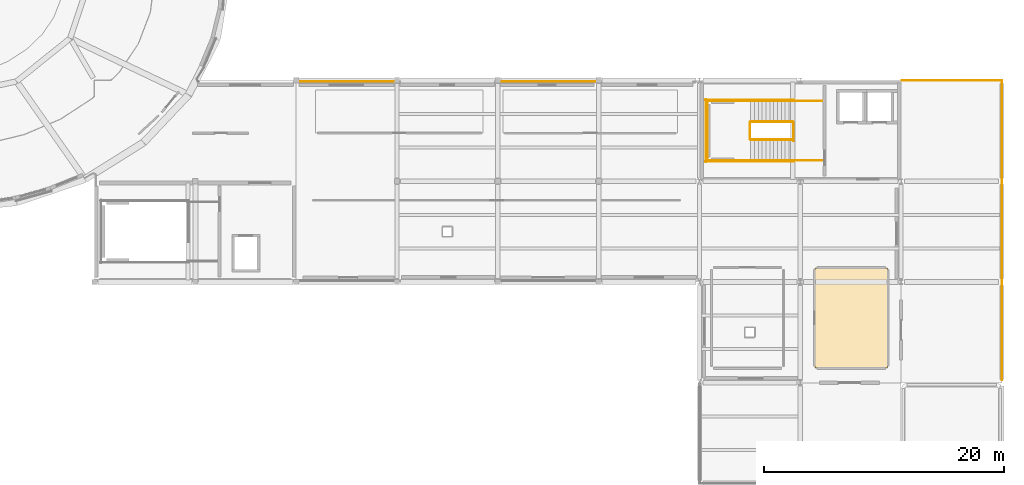
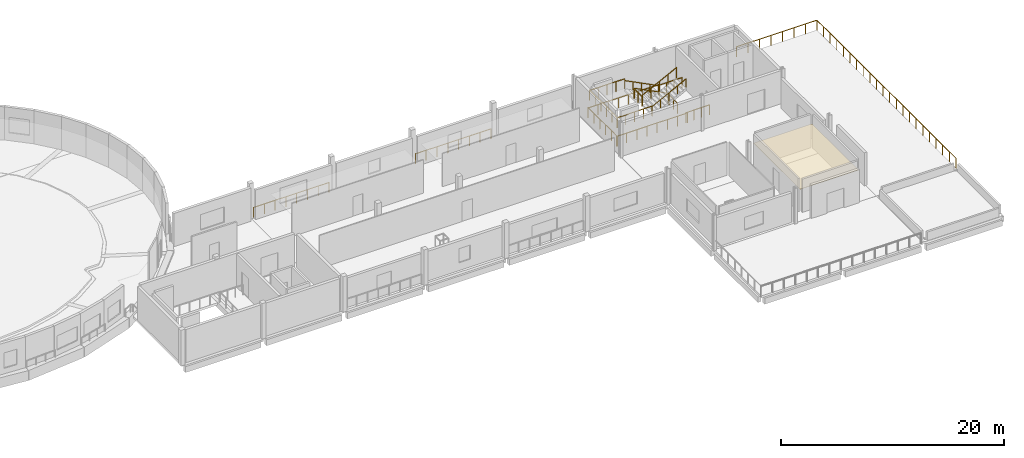
# One storey, part 15 of 16: 17 railings, 1 covering.
"""IFC4 building model written with IfcOpenShell, lengths in metres."""

from ifc_helpers import new_model, si_unit, derived_unit, direction, frame, origin, origin_2d, place, context, subcontext, project, spatial, polyline, circle, outline, extrude, material, layer, layer_set, type_object, element, save


model = new_model("IFC4")

# Units and contexts
model_context = context("Model", 3, precision=1e-05, world=origin(), true_north=direction((0.0, 1.0)))
body_context = subcontext(model_context, "Body", "Model", "MODEL_VIEW")
ifc_project = project(units=[si_unit("LENGTHUNIT", "METRE"), si_unit("AREAUNIT", "SQUARE_METRE"), si_unit("VOLUMEUNIT", "CUBIC_METRE"), si_unit("PLANEANGLEUNIT", "RADIAN"), si_unit("MASSUNIT", "GRAM", prefix="KILO"), derived_unit("THERMALTRANSMITTANCEUNIT", [(si_unit("POWERUNIT", "WATT"), 1), (si_unit("LENGTHUNIT", "METRE"), -2), (si_unit("THERMODYNAMICTEMPERATUREUNIT", "KELVIN"), -1)])], contexts=[model_context])

# Site, building, storey
site_placement = place(None, origin())
site = spatial("IfcSite", under=ifc_project, at=site_placement, CompositionType="ELEMENT")
building_placement = place(site_placement, origin())
building = spatial("IfcBuilding", under=site, at=building_placement, Name="Elbkamm Science Centre", CompositionType="ELEMENT")
storey_placement = place(building_placement, frame((0.0, 0.0, 21.60009765625)))
storey = spatial("IfcBuildingStorey", under=building, at=storey_placement, Name="L05", CompositionType="ELEMENT", Elevation=21.60009765625)

# Covering
ifc_material_1 = material(Name="Perforated acoustic mineral fibre ceiling tile")
ifc_layer = layer(ifc_material_1, 0.0400390625)
ifc_layer_set = layer_set([ifc_layer], Name="Perforated acoustic mineral fibre ceiling tile")
covering_type = type_object("IfcCoveringType", Name="COV-CEIL-ACOUSTIC-40", PredefinedType="CEILING", material=ifc_layer_set)
covering_placement = place(storey_placement, frame((0.0, 0.0, 2.489990234375)))
element("IfcCovering", 1, at=covering_placement, inside=storey, type_object=covering_type, Name="L05 Solar Spectroscopy Laboratory Acoustic Ceiling", PredefinedType="CEILING", context=body_context, shape_type="SweptSolid", body=[
    extrude(outline(polyline([(141.679931640625, 43.179931640625), (141.679931640625, 34.820068359375), (135.6201171875, 34.820068359375), (135.6201171875, 43.179931640625), (141.679931640625, 43.179931640625)])), origin(), (0.0, 0.0, 1.0), 0.039794921875),
])

# Railings
ifc_material_2 = material(Name="Stainless steel EN 1.4401", Category="steel")
railing_type_1 = type_object("IfcRailingType", Name="RAIL-EXT-GUARD-1100", PredefinedType="GUARDRAIL", material=ifc_material_2)
railing_1_placement = place(storey_placement, frame((142.8798828125, 58.800048828125, 0.0)))
element("IfcRailing", 2, at=railing_1_placement, inside=storey, type_object=railing_type_1, Name="L05 Outdoor Terrace Perimeter Guard 011", PredefinedType="GUARDRAIL", context=body_context, shape_type="SweptSolid", body=[
    extrude(circle(Radius=0.02392578125, at=origin_2d()), frame((0.0, 0.0, 1.078125), z_axis=(1.0, 0.0, 0.0), x_axis=(0.0, 1.0, 0.0)), (0.0, 0.0, 1.0), 8.2900390625),
    extrude(circle(Radius=0.02392578125, at=origin_2d()), frame((8.320068359375, -0.030029296875, 1.078125), z_axis=(0.0, -1.0, 0.0), x_axis=(1.0, 0.0, 0.0)), (0.0, 0.0, 1.0), 24.953125),
    extrude(circle(Radius=0.02001953125, at=origin_2d()), origin(), (0.0, 0.0, 1.0), 1.048095703125),
    extrude(circle(Radius=0.02001953125, at=origin_2d()), frame((1.1884765625, 0.0, 0.0)), (0.0, 0.0, 1.0), 1.048095703125),
    extrude(circle(Radius=0.02001953125, at=origin_2d()), frame((2.377197265625, 0.0, 0.0)), (0.0, 0.0, 1.0), 1.048095703125),
    extrude(circle(Radius=0.02001953125, at=origin_2d()), frame((3.565673828125, 0.0, 0.0)), (0.0, 0.0, 1.0), 1.048095703125),
    extrude(circle(Radius=0.02001953125, at=origin_2d()), frame((4.75439453125, 0.0, 0.0)), (0.0, 0.0, 1.0), 1.048095703125),
    extrude(circle(Radius=0.02001953125, at=origin_2d()), frame((5.94287109375, 0.0, 0.0)), (0.0, 0.0, 1.0), 1.048095703125),
    extrude(circle(Radius=0.02001953125, at=origin_2d()), frame((7.131591796875, 0.0, 0.0)), (0.0, 0.0, 1.0), 1.048095703125),
    extrude(circle(Radius=0.02001953125, at=origin_2d()), frame((8.320068359375, 0.0, 0.0)), (0.0, 0.0, 1.0), 1.048095703125),
    extrude(circle(Radius=0.02001953125, at=origin_2d()), frame((8.320068359375, -1.189697265625, 0.0)), (0.0, 0.0, 1.0), 1.048095703125),
    extrude(circle(Radius=0.02001953125, at=origin_2d()), frame((8.320068359375, -2.37939453125, 0.0)), (0.0, 0.0, 1.0), 1.048095703125),
    extrude(circle(Radius=0.02001953125, at=origin_2d()), frame((8.320068359375, -3.569091796875, 0.0)), (0.0, 0.0, 1.0), 1.048095703125),
    extrude(circle(Radius=0.02001953125, at=origin_2d()), frame((8.320068359375, -4.7587890625, 0.0)), (0.0, 0.0, 1.0), 1.048095703125),
    extrude(circle(Radius=0.02001953125, at=origin_2d()), frame((8.320068359375, -5.948486328125, 0.0)), (0.0, 0.0, 1.0), 1.048095703125),
    extrude(circle(Radius=0.02001953125, at=origin_2d()), frame((8.320068359375, -7.137939453125, 0.0)), (0.0, 0.0, 1.0), 1.048095703125),
    extrude(circle(Radius=0.02001953125, at=origin_2d()), frame((8.320068359375, -8.32763671875, 0.0)), (0.0, 0.0, 1.0), 1.048095703125),
    extrude(circle(Radius=0.02001953125, at=origin_2d()), frame((8.320068359375, -9.517333984375, 0.0)), (0.0, 0.0, 1.0), 1.048095703125),
    extrude(circle(Radius=0.02001953125, at=origin_2d()), frame((8.320068359375, -10.70703125, 0.0)), (0.0, 0.0, 1.0), 1.048095703125),
    extrude(circle(Radius=0.02001953125, at=origin_2d()), frame((8.320068359375, -11.896728515625, 0.0)), (0.0, 0.0, 1.0), 1.048095703125),
    extrude(circle(Radius=0.02001953125, at=origin_2d()), frame((8.320068359375, -13.08642578125, 0.0)), (0.0, 0.0, 1.0), 1.048095703125),
    extrude(circle(Radius=0.02001953125, at=origin_2d()), frame((8.320068359375, -14.276123046875, 0.0)), (0.0, 0.0, 1.0), 1.048095703125),
    extrude(circle(Radius=0.02001953125, at=origin_2d()), frame((8.320068359375, -15.4658203125, 0.0)), (0.0, 0.0, 1.0), 1.048095703125),
    extrude(circle(Radius=0.02001953125, at=origin_2d()), frame((8.320068359375, -16.655517578125, 0.0)), (0.0, 0.0, 1.0), 1.048095703125),
    extrude(circle(Radius=0.02001953125, at=origin_2d()), frame((8.320068359375, -17.84521484375, 0.0)), (0.0, 0.0, 1.0), 1.048095703125),
    extrude(circle(Radius=0.02001953125, at=origin_2d()), frame((8.320068359375, -19.03466796875, 0.0)), (0.0, 0.0, 1.0), 1.048095703125),
    extrude(circle(Radius=0.02001953125, at=origin_2d()), frame((8.320068359375, -20.224365234375, 0.0)), (0.0, 0.0, 1.0), 1.048095703125),
    extrude(circle(Radius=0.02001953125, at=origin_2d()), frame((8.320068359375, -21.4140625, 0.0)), (0.0, 0.0, 1.0), 1.048095703125),
    extrude(circle(Radius=0.02001953125, at=origin_2d()), frame((8.320068359375, -22.603759765625, 0.0)), (0.0, 0.0, 1.0), 1.048095703125),
    extrude(circle(Radius=0.02001953125, at=origin_2d()), frame((8.320068359375, -23.79345703125, 0.0)), (0.0, 0.0, 1.0), 1.048095703125),
    extrude(circle(Radius=0.02001953125, at=origin_2d()), frame((8.320068359375, -24.983154296875, 0.0)), (0.0, 0.0, 1.0), 1.048095703125),
])
for number, where, name in (
    (3, (92.679931640625, 58.699951171875, 0.0), "L05 Slab Edge Perimeter Guard 125"),
    (4, (109.47998046875, 58.699951171875, 0.0), "L05 Slab Edge Perimeter Guard 126"),
):
    element("IfcRailing", number, at=place(storey_placement, frame(where)), inside=storey, type_object=railing_type_1, Name=name, PredefinedType="GUARDRAIL", context=body_context, shape_type="SweptSolid", body=[
        extrude(circle(Radius=0.02392578125, at=origin_2d()), frame((0.0, 0.0, 1.078125), z_axis=(1.0, 0.0, 0.0), x_axis=(0.0, 1.0, 0.0)), (0.0, 0.0, 1.0), 7.840087890625),
        extrude(circle(Radius=0.02001953125, at=origin_2d()), origin(), (0.0, 0.0, 1.0), 1.048095703125),
        extrude(circle(Radius=0.02001953125, at=origin_2d()), frame((1.1201171875, 0.0, 0.0)), (0.0, 0.0, 1.0), 1.048095703125),
        extrude(circle(Radius=0.02001953125, at=origin_2d()), frame((2.239990234375, 0.0, 0.0)), (0.0, 0.0, 1.0), 1.048095703125),
        extrude(circle(Radius=0.02001953125, at=origin_2d()), frame((3.360107421875, 0.0, 0.0)), (0.0, 0.0, 1.0), 1.048095703125),
        extrude(circle(Radius=0.02001953125, at=origin_2d()), frame((4.47998046875, 0.0, 0.0)), (0.0, 0.0, 1.0), 1.048095703125),
        extrude(circle(Radius=0.02001953125, at=origin_2d()), frame((5.60009765625, 0.0, 0.0)), (0.0, 0.0, 1.0), 1.048095703125),
        extrude(circle(Radius=0.02001953125, at=origin_2d()), frame((6.719970703125, 0.0, 0.0)), (0.0, 0.0, 1.0), 1.048095703125),
        extrude(circle(Radius=0.02001953125, at=origin_2d()), frame((7.840087890625, 0.0, 0.0)), (0.0, 0.0, 1.0), 1.048095703125),
    ])
railing_type_2 = type_object("IfcRailingType", Name="RAIL-GUARD-1100", PredefinedType="GUARDRAIL", material=ifc_material_2)
railing_2_placement = place(storey_placement, frame((133.780029296875, 55.35009765625, 0.162353515625)))
element("IfcRailing", 5, at=railing_2_placement, inside=storey, type_object=railing_type_2, Name="L05 ST-C3 stair guard 1", PredefinedType="GUARDRAIL", context=body_context, shape_type="SweptSolid", body=[
    extrude(circle(Radius=0.02392578125, at=origin_2d()), frame((0.0, 0.0, 1.078125), z_axis=(-0.891614535321, 0.0, 0.452795230103), x_axis=(0.0, -1.0, 0.0)), (0.0, 0.0, 1.0), 3.947998046875),
    extrude(circle(Radius=0.02001953125, at=origin_2d()), origin(), (0.0, 0.0, 1.0), 1.048095703125),
    extrude(circle(Radius=0.02001953125, at=origin_2d()), frame((-0.8798828125, 0.0, 0.44677734375)), (0.0, 0.0, 1.0), 1.048095703125),
    extrude(circle(Radius=0.02001953125, at=origin_2d()), frame((-1.760009765625, 0.0, 0.893798828125)), (0.0, 0.0, 1.0), 1.048095703125),
    extrude(circle(Radius=0.02001953125, at=origin_2d()), frame((-2.64013671875, 0.0, 1.3408203125)), (0.0, 0.0, 1.0), 1.048095703125),
    extrude(circle(Radius=0.02001953125, at=origin_2d()), frame((-3.52001953125, 0.0, 1.78759765625)), (0.0, 0.0, 1.0), 1.048095703125),
])
railing_3_placement = place(storey_placement, frame((130.2099609375, 55.300048828125, 1.949951171875)))
element("IfcRailing", 6, at=railing_3_placement, inside=storey, type_object=railing_type_2, Name="L05 ST-C3 stair guard 2", PredefinedType="GUARDRAIL", context=body_context, shape_type="SweptSolid", body=[
    extrude(circle(Radius=0.02392578125, at=origin_2d()), frame((0.0, 0.0, 1.078125), z_axis=(0.0, -1.0, 0.0), x_axis=(1.0, 0.0, 0.0)), (0.0, 0.0, 1.0), 1.400146484375),
    extrude(circle(Radius=0.02001953125, at=origin_2d()), origin(), (0.0, 0.0, 1.0), 1.048095703125),
    extrude(circle(Radius=0.02001953125, at=origin_2d()), frame((0.0, -0.7001953125, 0.0)), (0.0, 0.0, 1.0), 1.048095703125),
    extrude(circle(Radius=0.02001953125, at=origin_2d()), frame((0.0, -1.400146484375, 0.0)), (0.0, 0.0, 1.0), 1.048095703125),
])
for number, where, name in (
    (7, (130.260009765625, 57.070068359375, 1.949951171875), "L05 ST-C3 stair guard 3"),
    (8, (130.260009765625, 52.1298828125, 1.949951171875), "L05 ST-C3 stair guard 4"),
):
    element("IfcRailing", number, at=place(storey_placement, frame(where)), inside=storey, type_object=railing_type_2, Name=name, PredefinedType="GUARDRAIL", context=body_context, shape_type="SweptSolid", body=[
        extrude(circle(Radius=0.02392578125, at=origin_2d()), frame((0.0, 0.0, 1.078125), z_axis=(-1.0, 0.0, 0.0), x_axis=(0.0, -1.0, 0.0)), (0.0, 0.0, 1.0), 3.659912109375),
        extrude(circle(Radius=0.02001953125, at=origin_2d()), origin(), (0.0, 0.0, 1.0), 1.048095703125),
        extrude(circle(Radius=0.02001953125, at=origin_2d()), frame((-0.9150390625, 0.0, 0.0)), (0.0, 0.0, 1.0), 1.048095703125),
        extrude(circle(Radius=0.02001953125, at=origin_2d()), frame((-1.830078125, 0.0, 0.0)), (0.0, 0.0, 1.0), 1.048095703125),
        extrude(circle(Radius=0.02001953125, at=origin_2d()), frame((-2.744873046875, 0.0, 0.0)), (0.0, 0.0, 1.0), 1.048095703125),
        extrude(circle(Radius=0.02001953125, at=origin_2d()), frame((-3.659912109375, 0.0, 0.0)), (0.0, 0.0, 1.0), 1.048095703125),
    ])
railing_4_placement = place(storey_placement, frame((126.64990234375, 57.1201171875, 1.949951171875)))
element("IfcRailing", 9, at=railing_4_placement, inside=storey, type_object=railing_type_2, Name="L05 ST-C3 stair guard 5", PredefinedType="GUARDRAIL", context=body_context, shape_type="SweptSolid", body=[
    extrude(circle(Radius=0.02392578125, at=origin_2d()), frame((0.0, 0.0, 1.078125), z_axis=(0.0, -1.0, 0.0), x_axis=(1.0, 0.0, 0.0)), (0.0, 0.0, 1.0), 5.0400390625),
    extrude(circle(Radius=0.02001953125, at=origin_2d()), origin(), (0.0, 0.0, 1.0), 1.048095703125),
    extrude(circle(Radius=0.02001953125, at=origin_2d()), frame((0.0, -1.008056640625, 0.0)), (0.0, 0.0, 1.0), 1.048095703125),
    extrude(circle(Radius=0.02001953125, at=origin_2d()), frame((0.0, -2.01611328125, 0.0)), (0.0, 0.0, 1.0), 1.048095703125),
    extrude(circle(Radius=0.02001953125, at=origin_2d()), frame((0.0, -3.02392578125, 0.0)), (0.0, 0.0, 1.0), 1.048095703125),
    extrude(circle(Radius=0.02001953125, at=origin_2d()), frame((0.0, -4.031982421875, 0.0)), (0.0, 0.0, 1.0), 1.048095703125),
    extrude(circle(Radius=0.02001953125, at=origin_2d()), frame((0.0, -5.0400390625, 0.0)), (0.0, 0.0, 1.0), 1.048095703125),
])
railing_5_placement = place(storey_placement, frame((130.260009765625, 53.85009765625, 2.1123046875)))
element("IfcRailing", 10, at=railing_5_placement, inside=storey, type_object=railing_type_2, Name="L05 ST-C3 stair guard 6", PredefinedType="GUARDRAIL", context=body_context, shape_type="SweptSolid", body=[
    extrude(circle(Radius=0.02392578125, at=origin_2d()), frame((0.0, 0.0, 1.078125), z_axis=(0.891614535321, 0.0, 0.452795230103), x_axis=(0.0, 1.0, 0.0)), (0.0, 0.0, 1.0), 3.947998046875),
    extrude(circle(Radius=0.02001953125, at=origin_2d()), origin(), (0.0, 0.0, 1.0), 1.048095703125),
    extrude(circle(Radius=0.02001953125, at=origin_2d()), frame((0.8798828125, 0.0, 0.44677734375)), (0.0, 0.0, 1.0), 1.048095703125),
    extrude(circle(Radius=0.02001953125, at=origin_2d()), frame((1.760009765625, 0.0, 0.893798828125)), (0.0, 0.0, 1.0), 1.048095703125),
    extrude(circle(Radius=0.02001953125, at=origin_2d()), frame((2.64013671875, 0.0, 1.3408203125)), (0.0, 0.0, 1.0), 1.048095703125),
    extrude(circle(Radius=0.02001953125, at=origin_2d()), frame((3.52001953125, 0.0, 1.78759765625)), (0.0, 0.0, 1.0), 1.048095703125),
])
railing_6_placement = place(storey_placement, frame((133.830078125, 55.300048828125, 0.0)))
element("IfcRailing", 11, at=railing_6_placement, inside=storey, type_object=railing_type_2, Name="L05 ST-C3 stair guard 7", PredefinedType="GUARDRAIL", context=body_context, shape_type="SweptSolid", body=[
    extrude(circle(Radius=0.02392578125, at=origin_2d()), frame((0.0, 0.0, 1.078125), z_axis=(0.0, -1.0, 0.0), x_axis=(1.0, 0.0, 0.0)), (0.0, 0.0, 1.0), 1.570068359375),
    extrude(circle(Radius=0.02001953125, at=origin_2d()), origin(), (0.0, 0.0, 1.0), 1.048095703125),
    extrude(circle(Radius=0.02001953125, at=origin_2d()), frame((0.0, -0.78515625, 0.0)), (0.0, 0.0, 1.0), 1.048095703125),
    extrude(circle(Radius=0.02001953125, at=origin_2d()), frame((0.0, -1.570068359375, 0.0)), (0.0, 0.0, 1.0), 1.048095703125),
])
for number, where, name in (
    (12, (136.199951171875, 57.070068359375, 0.0), "L05 ST-C3 stair guard 8"),
    (13, (136.199951171875, 52.1298828125, 0.0), "L05 ST-C3 stair guard 9"),
):
    element("IfcRailing", number, at=place(storey_placement, frame(where)), inside=storey, type_object=railing_type_2, Name=name, PredefinedType="GUARDRAIL", context=body_context, shape_type="SweptSolid", body=[
        extrude(circle(Radius=0.02392578125, at=origin_2d()), frame((0.0, 0.0, 1.078125), z_axis=(-1.0, 0.0, 0.0), x_axis=(0.0, -1.0, 0.0)), (0.0, 0.0, 1.0), 2.419921875),
        extrude(circle(Radius=0.02001953125, at=origin_2d()), origin(), (0.0, 0.0, 1.0), 1.048095703125),
        extrude(circle(Radius=0.02001953125, at=origin_2d()), frame((-0.806640625, 0.0, 0.0)), (0.0, 0.0, 1.0), 1.048095703125),
        extrude(circle(Radius=0.02001953125, at=origin_2d()), frame((-1.61328125, 0.0, 0.0)), (0.0, 0.0, 1.0), 1.048095703125),
        extrude(circle(Radius=0.02001953125, at=origin_2d()), frame((-2.419921875, 0.0, 0.0)), (0.0, 0.0, 1.0), 1.048095703125),
    ])
for number, where, name in (
    (14, (133.8798828125, 57.169921875, 0.0), "L05 ST-C3 stair guard 10"),
    (15, (133.8798828125, 52.030029296875, 0.0), "L05 ST-C3 stair guard 11"),
):
    element("IfcRailing", number, at=place(storey_placement, frame(where)), inside=storey, type_object=railing_type_2, Name=name, PredefinedType="GUARDRAIL", context=body_context, shape_type="SweptSolid", body=[
        extrude(circle(Radius=0.02392578125, at=origin_2d()), frame((0.0, 0.0, 1.078125), z_axis=(-1.0, 0.0, 0.0), x_axis=(0.0, -1.0, 0.0)), (0.0, 0.0, 1.0), 7.3798828125),
        extrude(circle(Radius=0.02001953125, at=origin_2d()), origin(), (0.0, 0.0, 1.0), 1.048095703125),
        extrude(circle(Radius=0.02001953125, at=origin_2d()), frame((-1.05419921875, 0.0, 0.0)), (0.0, 0.0, 1.0), 1.048095703125),
        extrude(circle(Radius=0.02001953125, at=origin_2d()), frame((-2.108642578125, 0.0, 0.0)), (0.0, 0.0, 1.0), 1.048095703125),
        extrude(circle(Radius=0.02001953125, at=origin_2d()), frame((-3.162841796875, 0.0, 0.0)), (0.0, 0.0, 1.0), 1.048095703125),
        extrude(circle(Radius=0.02001953125, at=origin_2d()), frame((-4.217041015625, 0.0, 0.0)), (0.0, 0.0, 1.0), 1.048095703125),
        extrude(circle(Radius=0.02001953125, at=origin_2d()), frame((-5.271240234375, 0.0, 0.0)), (0.0, 0.0, 1.0), 1.048095703125),
        extrude(circle(Radius=0.02001953125, at=origin_2d()), frame((-6.32568359375, 0.0, 0.0)), (0.0, 0.0, 1.0), 1.048095703125),
        extrude(circle(Radius=0.02001953125, at=origin_2d()), frame((-7.3798828125, 0.0, 0.0)), (0.0, 0.0, 1.0), 1.048095703125),
    ])
railing_7_placement = place(storey_placement, frame((126.550048828125, 57.219970703125, 0.0)))
element("IfcRailing", 16, at=railing_7_placement, inside=storey, type_object=railing_type_2, Name="L05 ST-C3 stair guard 12", PredefinedType="GUARDRAIL", context=body_context, shape_type="SweptSolid", body=[
    extrude(circle(Radius=0.02392578125, at=origin_2d()), frame((0.0, 0.0, 1.078125), z_axis=(0.0, -1.0, 0.0), x_axis=(1.0, 0.0, 0.0)), (0.0, 0.0, 1.0), 5.239990234375),
    extrude(circle(Radius=0.02001953125, at=origin_2d()), origin(), (0.0, 0.0, 1.0), 1.048095703125),
    extrude(circle(Radius=0.02001953125, at=origin_2d()), frame((0.0, -1.048095703125, 0.0)), (0.0, 0.0, 1.0), 1.048095703125),
    extrude(circle(Radius=0.02001953125, at=origin_2d()), frame((0.0, -2.095947265625, 0.0)), (0.0, 0.0, 1.0), 1.048095703125),
    extrude(circle(Radius=0.02001953125, at=origin_2d()), frame((0.0, -3.14404296875, 0.0)), (0.0, 0.0, 1.0), 1.048095703125),
    extrude(circle(Radius=0.02001953125, at=origin_2d()), frame((0.0, -4.19189453125, 0.0)), (0.0, 0.0, 1.0), 1.048095703125),
    extrude(circle(Radius=0.02001953125, at=origin_2d()), frame((0.0, -5.239990234375, 0.0)), (0.0, 0.0, 1.0), 1.048095703125),
])
railing_type_3 = type_object("IfcRailingType", Name="RAIL-HAND-900", PredefinedType="HANDRAIL", material=ifc_material_2)
railing_8_placement = place(storey_placement, frame((133.780029296875, 57.070068359375, 0.162353515625)))
element("IfcRailing", 17, at=railing_8_placement, inside=storey, type_object=railing_type_3, Name="L05 ST-C3 stair handrail 1", PredefinedType="HANDRAIL", context=body_context, shape_type="SweptSolid", body=[
    extrude(circle(Radius=0.02392578125, at=origin_2d()), frame((0.0, 0.0, 0.8779296875), z_axis=(-0.891614535321, 0.0, 0.452795230103), x_axis=(0.0, -1.0, 0.0)), (0.0, 0.0, 1.0), 3.947998046875),
    extrude(circle(Radius=0.02001953125, at=origin_2d()), origin(), (0.0, 0.0, 1.0), 0.847900390625),
    extrude(circle(Radius=0.02001953125, at=origin_2d()), frame((-0.8798828125, 0.0, 0.44677734375)), (0.0, 0.0, 1.0), 0.847900390625),
    extrude(circle(Radius=0.02001953125, at=origin_2d()), frame((-1.760009765625, 0.0, 0.893798828125)), (0.0, 0.0, 1.0), 0.847900390625),
    extrude(circle(Radius=0.02001953125, at=origin_2d()), frame((-2.64013671875, 0.0, 1.3408203125)), (0.0, 0.0, 1.0), 0.847900390625),
    extrude(circle(Radius=0.02001953125, at=origin_2d()), frame((-3.52001953125, 0.0, 1.78759765625)), (0.0, 0.0, 1.0), 0.847900390625),
])
railing_9_placement = place(storey_placement, frame((130.260009765625, 52.1298828125, 2.1123046875)))
element("IfcRailing", 18, at=railing_9_placement, inside=storey, type_object=railing_type_3, Name="L05 ST-C3 stair handrail 2", PredefinedType="HANDRAIL", context=body_context, shape_type="SweptSolid", body=[
    extrude(circle(Radius=0.02392578125, at=origin_2d()), frame((0.0, 0.0, 0.8779296875), z_axis=(0.891614535321, 0.0, 0.452795230103), x_axis=(0.0, 1.0, 0.0)), (0.0, 0.0, 1.0), 3.947998046875),
    extrude(circle(Radius=0.02001953125, at=origin_2d()), origin(), (0.0, 0.0, 1.0), 0.847900390625),
    extrude(circle(Radius=0.02001953125, at=origin_2d()), frame((0.8798828125, 0.0, 0.44677734375)), (0.0, 0.0, 1.0), 0.847900390625),
    extrude(circle(Radius=0.02001953125, at=origin_2d()), frame((1.760009765625, 0.0, 0.893798828125)), (0.0, 0.0, 1.0), 0.847900390625),
    extrude(circle(Radius=0.02001953125, at=origin_2d()), frame((2.64013671875, 0.0, 1.3408203125)), (0.0, 0.0, 1.0), 0.847900390625),
    extrude(circle(Radius=0.02001953125, at=origin_2d()), frame((3.52001953125, 0.0, 1.78759765625)), (0.0, 0.0, 1.0), 0.847900390625),
])

save(model, "model.ifc")
